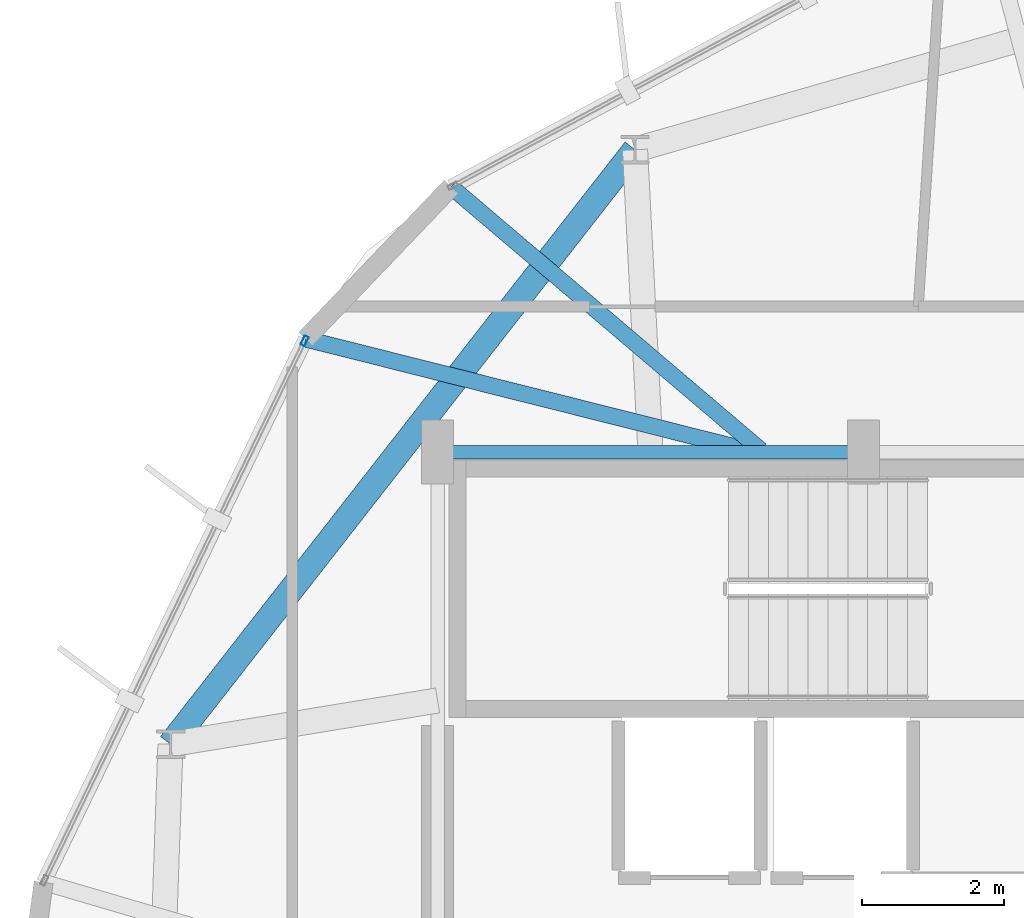
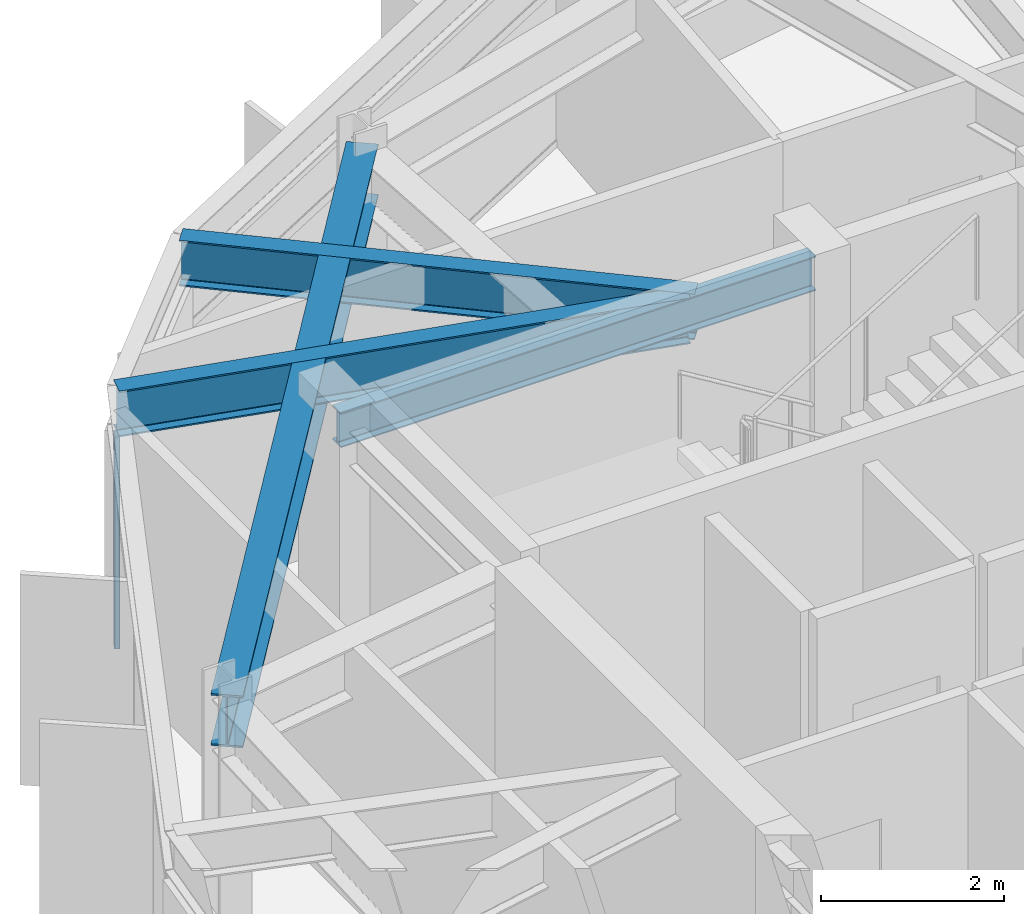
# One storey, part 9 of 26: 4 beams, 1 member, 1 element without a shape of its own.
"""IFC4 building model written with IfcOpenShell, lengths in metres."""

from ifc_helpers import new_model, si_unit, direction, frame, origin, origin_2d, place, context, subcontext, project, spatial, hollow_rectangle, i_section, extrude, material, layer, layer_set, material_profile, profile_set, type_object, element, aggregate, save


model = new_model("IFC4")

# Units and contexts
model_context = context("Model", 3, precision=1e-05, world=origin(), true_north=direction((0.0, 1.0)))
body_context = subcontext(model_context, "Body", "Model", "MODEL_VIEW")
ifc_project = project(units=[si_unit("LENGTHUNIT", "METRE"), si_unit("AREAUNIT", "SQUARE_METRE"), si_unit("VOLUMEUNIT", "CUBIC_METRE"), si_unit("PLANEANGLEUNIT", "RADIAN"), si_unit("MASSUNIT", "GRAM", prefix="KILO")], contexts=[model_context])

# Site, building, storey
site_placement = place(None, origin())
site = spatial("IfcSite", under=ifc_project, at=site_placement, CompositionType="ELEMENT")
building_placement = place(site_placement, origin())
building = spatial("IfcBuilding", under=site, at=building_placement, Name="Soratama Intermodal Tower", CompositionType="ELEMENT")
storey_placement = place(building_placement, frame((0.0, 0.0, 268.75)))
storey = spatial("IfcBuildingStorey", under=building, at=storey_placement, Name="L68", CompositionType="ELEMENT", Elevation=268.75)

# Beams
ifc_material_1 = material(Name="Structural steel ASTM A992 Grade 50", Category="steel")
ifc_material_profile_1 = material_profile(ifc_material_1, i_section(OverallWidth=0.19091796875, OverallDepth=0.4599609375, WebThickness=0.010009765625, FlangeThickness=0.01611328125, FilletRadius=0.010986328125, at=origin_2d()), Name="W18X55")
ifc_profile_set_1 = profile_set([ifc_material_profile_1], Name="Structural steel ASTM A992 Grade 50")
beam_type_1 = type_object("IfcBeamType", Name="BM-FLR-W18X55", PredefinedType="BEAM", material=ifc_profile_set_1)
beam_1_placement = place(storey_placement, frame((38.60009765625, 35.0, 3.219970703125), z_axis=(-1.0, 0.0, 0.0), x_axis=(0.0, -1.0, 0.0)))
element("IfcBeam", 1, at=beam_1_placement, inside=storey, type_object=beam_type_1, Name="BM-L68-CRING-07", PredefinedType="BEAM", context=body_context, shape_type="SweptSolid", body=[
    extrude(i_section(OverallWidth=0.19091796875, OverallDepth=0.4599609375, WebThickness=0.010009765625, FlangeThickness=0.01611328125, FilletRadius=0.010986328125, at=origin_2d()), origin(), (0.0, 0.0, 1.0), 6.0),
])
ifc_material_2 = material(Name="Structural steel ASTM A992 Grade 50", Category="steel")
ifc_material_profile_2 = material_profile(ifc_material_2, i_section(OverallWidth=0.35498046875, OverallDepth=0.695068359375, WebThickness=0.015380859375, FlangeThickness=0.02490234375, FilletRadius=0.01611328125, at=origin_2d()), Name="W27X146")
ifc_profile_set_2 = profile_set([ifc_material_profile_2], Name="Structural steel ASTM A992 Grade 50")
beam_type_2 = type_object("IfcBeamType", Name="BM-RING-W27X146", PredefinedType="BEAM", material=ifc_profile_set_2)
beam_2_placement = place(storey_placement, frame((35.382080078125, 39.259033203125, 3.1025390625), z_axis=(-0.6157278291, -0.787958907858, 0.0), x_axis=(0.787958907858, -0.6157278291, 0.0)))
element("IfcBeam", 2, at=beam_2_placement, inside=storey, type_object=beam_type_2, Name="BM-L68-RING-04", PredefinedType="BEAM", context=body_context, shape_type="SweptSolid", body=[
    extrude(i_section(OverallWidth=0.35498046875, OverallDepth=0.695068359375, WebThickness=0.015380859375, FlangeThickness=0.02490234375, FilletRadius=0.01611328125, at=origin_2d()), origin(), (0.0, 0.0, 1.0), 10.6298828125),
])
ifc_material_3 = material(Name="Structural steel ASTM A992 Grade 50", Category="steel")
ifc_material_profile_3 = material_profile(ifc_material_3, i_section(OverallWidth=0.22900390625, OverallDepth=0.612060546875, WebThickness=0.011962890625, FlangeThickness=0.01953125, FilletRadius=0.012939453125, at=origin_2d()), Name="W24X84")
ifc_profile_set_3 = profile_set([ifc_material_profile_3], Name="Structural steel ASTM A992 Grade 50")
beam_type_3 = type_object("IfcBeamType", Name="BM-TIE-W24X84", PredefinedType="BEAM", material=ifc_profile_set_3)
beam_3_placement = place(storey_placement, frame((37.156005859375, 35.02587890625, 3.14404296875), z_axis=(-0.761942472246, 0.647644708917, 0.0), x_axis=(-0.647644708917, -0.761942472246, 0.0)))
element("IfcBeam", 3, at=beam_3_placement, inside=storey, type_object=beam_type_3, Name="BM-L68-TIE1-02", PredefinedType="BEAM", context=body_context, shape_type="SweptSolid", body=[
    extrude(i_section(OverallWidth=0.22900390625, OverallDepth=0.612060546875, WebThickness=0.011962890625, FlangeThickness=0.01953125, FilletRadius=0.012939453125, at=origin_2d()), origin(), (0.0, 0.0, 1.0), 5.728759765625),
])
beam_4_placement = place(storey_placement, frame((37.0390625, 35.010009765625, 3.14404296875), z_axis=(-0.969843261573, 0.243729456534, 0.0), x_axis=(-0.243729456534, -0.969843261573, 0.0)))
element("IfcBeam", 4, at=beam_4_placement, inside=storey, type_object=beam_type_3, Name="BM-L68-TIE0-03", PredefinedType="BEAM", context=body_context, shape_type="SweptSolid", body=[
    extrude(i_section(OverallWidth=0.22900390625, OverallDepth=0.612060546875, WebThickness=0.011962890625, FlangeThickness=0.01953125, FilletRadius=0.012939453125, at=origin_2d()), origin(), (0.0, 0.0, 1.0), 6.494873046875),
])

# Curtain wall, member
ifc_material_4 = material(Name="Double-glazed aluminium curtain wall", Category="aluminium")
ifc_layer = layer(ifc_material_4, 0.159912109375)
ifc_layer_set = layer_set([ifc_layer], Name="Double-glazed aluminium curtain wall")
curtain_wall_type = type_object("IfcCurtainWallType", Name="CW-SYS-5", PredefinedType="NOTDEFINED", material=ifc_layer_set)
curtain_wall_placement = place(storey_placement, origin())
curtain_wall = element("IfcCurtainWall", 5, at=curtain_wall_placement, inside=storey, type_object=curtain_wall_type, Name="L68 Faceted Curtain Wall F03", PredefinedType="NOTDEFINED")
ifc_material_5 = material(Name="Anodised aluminium AA 6063-T6", Category="aluminium")
ifc_material_profile_4 = material_profile(ifc_material_5, hollow_rectangle(XDim=0.06494140625, YDim=0.139892578125, WallThickness=0.0048828125, InnerFilletRadius=0.0048828125, OuterFilletRadius=0.010009765625, at=origin_2d()), Name="CWM140X65X5")
ifc_profile_set_4 = profile_set([ifc_material_profile_4], Name="Anodised aluminium AA 6063-T6")
member_type = type_object("IfcMemberType", Name="MT-CWM-5", PredefinedType="MULLION", material=ifc_profile_set_4)
member_placement = place(storey_placement, frame((30.72705078125, 36.566162109375, 0.0), z_axis=(0.0, 0.0, 1.0), x_axis=(0.900772297575, -0.434291685301, 0.0)))
member = element("IfcMember", 6, at=member_placement, type_object=member_type, Name="CW-5 mullion 1", PredefinedType="MULLION", context=body_context, shape_type="SweptSolid", body=[
    extrude(hollow_rectangle(XDim=0.06494140625, YDim=0.139892578125, WallThickness=0.0048828125, InnerFilletRadius=0.0048828125, OuterFilletRadius=0.010009765625, at=origin_2d()), origin(), (0.0, 0.0, 1.0), 2.8291015625),
])
aggregate(curtain_wall, [member])

save(model, "model.ifc")
